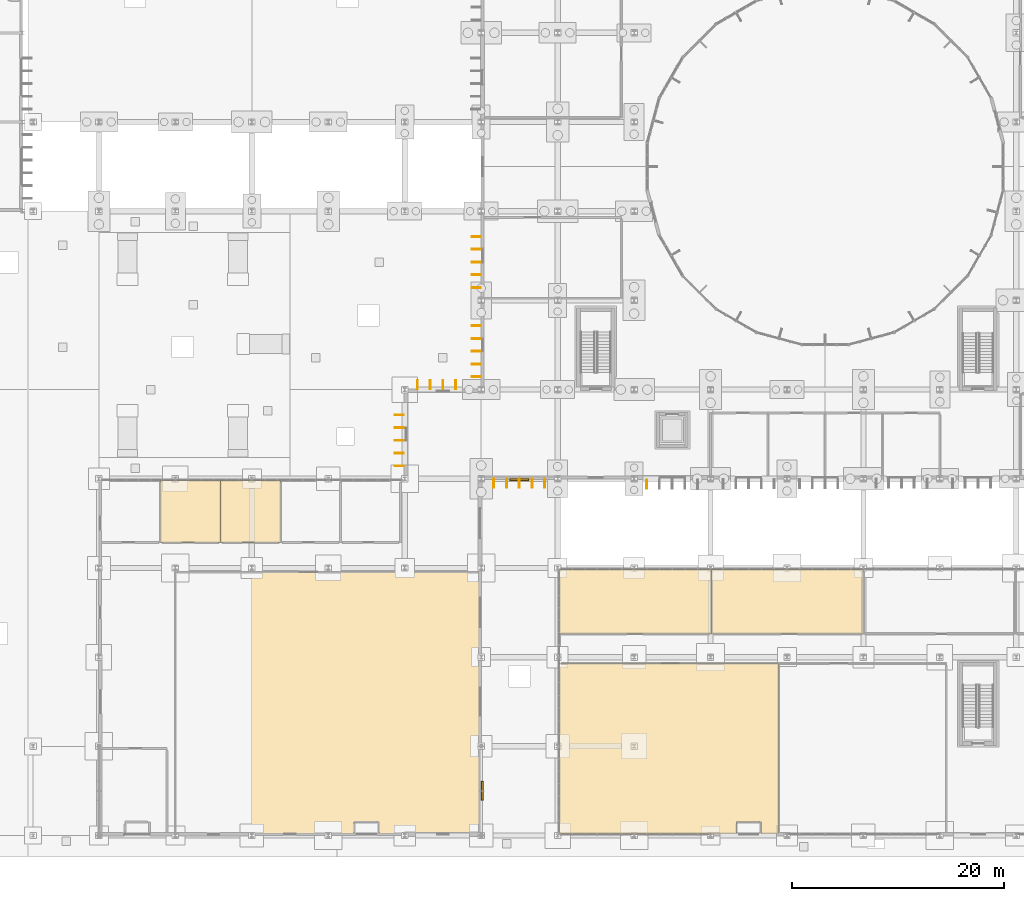
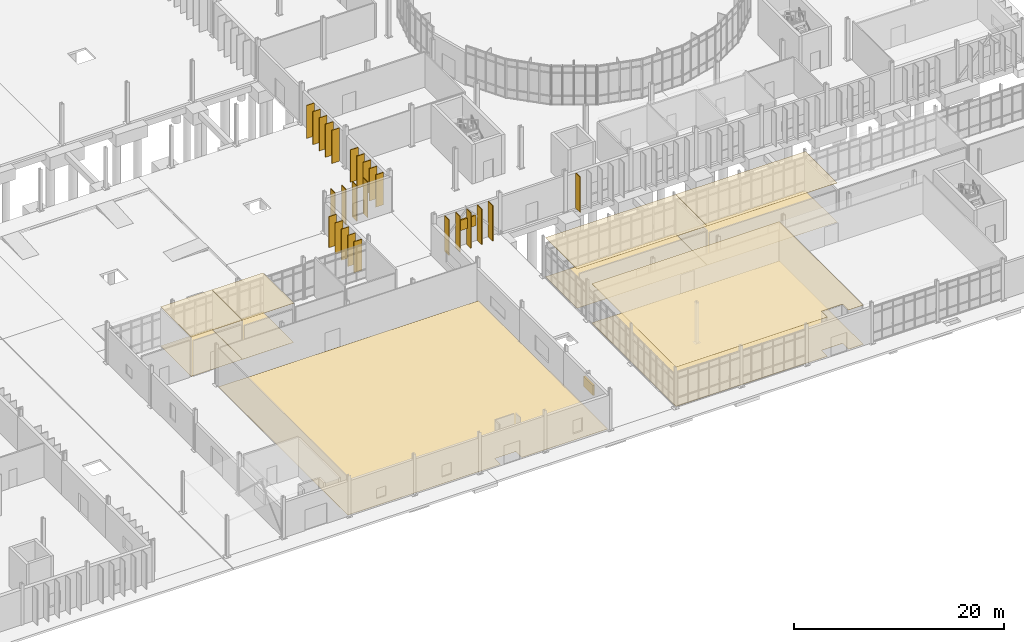
# One storey, part 104 of 118: 27 shading devices, 11 coverings.
"""IFC4 building model written with IfcOpenShell, lengths in metres."""

from ifc_helpers import new_model, si_unit, direction, frame, origin, origin_2d, place, context, subcontext, project, spatial, polyline, rectangle, outline, extrude, material, layer, layer_set, type_object, element, save


model = new_model("IFC4")

# Units and contexts
model_context = context("Model", 3, precision=1e-05, world=origin(), true_north=direction((0.0, 1.0)))
body_context = subcontext(model_context, "Body", "Model", "MODEL_VIEW")
ifc_project = project(units=[si_unit("LENGTHUNIT", "METRE"), si_unit("AREAUNIT", "SQUARE_METRE"), si_unit("VOLUMEUNIT", "CUBIC_METRE"), si_unit("PLANEANGLEUNIT", "RADIAN"), si_unit("MASSUNIT", "GRAM", prefix="KILO")], contexts=[model_context])

# Site, building, storey
site_placement = place(None, origin())
site = spatial("IfcSite", under=ifc_project, at=site_placement, CompositionType="ELEMENT")
building_placement = place(site_placement, origin())
building = spatial("IfcBuilding", under=site, at=building_placement, Name="Qelthora Terrace Specialist Clinic", CompositionType="ELEMENT")
storey_placement = place(building_placement, origin())
storey = spatial("IfcBuildingStorey", under=building, at=storey_placement, Name="L00", CompositionType="ELEMENT", Elevation=0.0)

# Coverings
ifc_material_1 = material(Name="Hygienic mineral-fibre acoustic ceiling", Category="gypsum")
ifc_layer_1 = layer(ifc_material_1, 0.02490234375)
ifc_layer_set_1 = layer_set([ifc_layer_1], Name="Hygienic mineral-fibre acoustic ceiling")
covering_type_1 = type_object("IfcCoveringType", Name="COV-CEIL-ACU-25", PredefinedType="CEILING", material=ifc_layer_set_1)
covering_1_placement = place(storey_placement, frame((0.0, 0.0, 4.554931640625)))
element("IfcCovering", 1, at=covering_1_placement, inside=storey, type_object=covering_type_1, Name="Outpatient Registration Lounge L00-02 acoustic ceiling", PredefinedType="CEILING", context=body_context, shape_type="SweptSolid", body=[
    extrude(outline(polyline([(63.405029296875, 27.60009765625), (63.405029296875, 33.449951171875), (69.050048828125, 33.449951171875), (69.050048828125, 27.60009765625), (63.405029296875, 27.60009765625)])), origin(), (0.0, 0.0, 1.0), 0.025146484375),
])
covering_2_placement = place(storey_placement, frame((0.0, 0.0, 4.554931640625)))
element("IfcCovering", 2, at=covering_2_placement, inside=storey, type_object=covering_type_1, Name="Infusion Nurse Station L00-03 acoustic ceiling", PredefinedType="CEILING", context=body_context, shape_type="SweptSolid", body=[
    extrude(outline(polyline([(69.054931640625, 27.60009765625), (69.054931640625, 33.449951171875), (74.699951171875, 33.449951171875), (74.699951171875, 27.60009765625), (69.054931640625, 27.60009765625)])), origin(), (0.0, 0.0, 1.0), 0.025146484375),
])
covering_3_placement = place(storey_placement, frame((0.0, 0.0, 4.554931640625)))
element("IfcCovering", 3, at=covering_3_placement, inside=storey, type_object=covering_type_1, Name="Glasshouse Wintergarden Display Atrium L00-21 acoustic ceiling", PredefinedType="CEILING", context=body_context, shape_type="SweptSolid", body=[
    extrude(outline(polyline([(119.9599609375, 0.14990234375), (119.9599609375, 1.280029296875), (117.639892578125, 1.280029296875), (117.639892578125, 0.14990234375), (100.949951171875, 0.14990234375), (100.949951171875, 16.199951171875), (121.60009765625, 16.199951171875), (121.60009765625, 0.14990234375), (119.9599609375, 0.14990234375)])), origin(), (0.0, 0.0, 1.0), 0.025146484375),
])
covering_4_placement = place(storey_placement, frame((0.0, 0.0, 4.56005859375)))
element("IfcCovering", 4, at=covering_4_placement, inside=storey, type_object=covering_type_1, Name="Rehabilitation Hydrotherapy Pool Room L00-23 acoustic ceiling", PredefinedType="CEILING", context=body_context, shape_type="SweptSolid", body=[
    extrude(outline(polyline([(100.949951171875, 19.0), (100.949951171875, 25.050048828125), (115.27490234375, 25.050048828125), (115.27490234375, 19.0), (100.949951171875, 19.0)])), origin(), (0.0, 0.0, 1.0), 0.02490234375),
])
covering_5_placement = place(storey_placement, frame((0.0, 0.0, 4.56005859375)))
element("IfcCovering", 5, at=covering_5_placement, inside=storey, type_object=covering_type_1, Name="Physical Rehabilitation Gym L00-24 acoustic ceiling", PredefinedType="CEILING", context=body_context, shape_type="SweptSolid", body=[
    extrude(outline(polyline([(115.280029296875, 19.0), (115.280029296875, 25.050048828125), (129.60009765625, 25.050048828125), (129.60009765625, 19.0), (115.280029296875, 19.0)])), origin(), (0.0, 0.0, 1.0), 0.02490234375),
])
ifc_material_2 = material(Name="Antimicrobial clinical linoleum flooring", Category="other")
ifc_layer_2 = layer(ifc_material_2, 0.011962890625)
ifc_layer_set_2 = layer_set([ifc_layer_2], Name="Antimicrobial clinical linoleum flooring")
covering_type_2 = type_object("IfcCoveringType", Name="COV-FLR-LINO-12", PredefinedType="FLOORING", material=ifc_layer_set_2)
covering_6_placement = place(storey_placement, origin())
element("IfcCovering", 6, at=covering_6_placement, inside=storey, type_object=covering_type_2, Name="Treatment Hall and Oncology Infusion Atrium L00-H1 resilient linoleum flooring", PredefinedType="FLOORING", context=body_context, shape_type="SweptSolid", body=[
    extrude(outline(polyline([(83.9599609375, 0.14990234375), (83.9599609375, 1.280029296875), (81.639892578125, 1.280029296875), (81.639892578125, 0.14990234375), (64.800048828125, 0.14990234375), (64.800048828125, 24.800048828125), (93.449951171875, 24.800048828125), (93.449951171875, 0.14990234375), (83.9599609375, 0.14990234375)])), origin(), (0.0, 0.0, 1.0), 0.011962890625),
])
covering_7_placement = place(storey_placement, origin())
element("IfcCovering", 7, at=covering_7_placement, inside=storey, type_object=covering_type_2, Name="Outpatient Registration Lounge L00-02 resilient linoleum flooring", PredefinedType="FLOORING", context=body_context, shape_type="SweptSolid", body=[
    extrude(outline(polyline([(63.405029296875, 27.60009765625), (63.405029296875, 33.449951171875), (69.050048828125, 33.449951171875), (69.050048828125, 27.60009765625), (63.405029296875, 27.60009765625)])), origin(), (0.0, 0.0, 1.0), 0.011962890625),
])
covering_8_placement = place(storey_placement, origin())
element("IfcCovering", 8, at=covering_8_placement, inside=storey, type_object=covering_type_2, Name="Infusion Nurse Station L00-03 resilient linoleum flooring", PredefinedType="FLOORING", context=body_context, shape_type="SweptSolid", body=[
    extrude(outline(polyline([(69.054931640625, 27.60009765625), (69.054931640625, 33.449951171875), (74.699951171875, 33.449951171875), (74.699951171875, 27.60009765625), (69.054931640625, 27.60009765625)])), origin(), (0.0, 0.0, 1.0), 0.011962890625),
])
covering_9_placement = place(storey_placement, origin())
element("IfcCovering", 9, at=covering_9_placement, inside=storey, type_object=covering_type_2, Name="Glasshouse Wintergarden Display Atrium L00-21 resilient linoleum flooring", PredefinedType="FLOORING", context=body_context, shape_type="SweptSolid", body=[
    extrude(outline(polyline([(119.9599609375, 0.14990234375), (119.9599609375, 1.280029296875), (117.639892578125, 1.280029296875), (117.639892578125, 0.14990234375), (100.949951171875, 0.14990234375), (100.949951171875, 16.199951171875), (121.60009765625, 16.199951171875), (121.60009765625, 0.14990234375), (119.9599609375, 0.14990234375)])), origin(), (0.0, 0.0, 1.0), 0.011962890625),
])
covering_10_placement = place(storey_placement, origin())
element("IfcCovering", 10, at=covering_10_placement, inside=storey, type_object=covering_type_2, Name="Rehabilitation Hydrotherapy Pool Room L00-23 resilient linoleum flooring", PredefinedType="FLOORING", context=body_context, shape_type="SweptSolid", body=[
    extrude(outline(polyline([(100.949951171875, 19.0), (100.949951171875, 25.050048828125), (115.27490234375, 25.050048828125), (115.27490234375, 19.0), (100.949951171875, 19.0)])), origin(), (0.0, 0.0, 1.0), 0.011962890625),
])
covering_11_placement = place(storey_placement, origin())
element("IfcCovering", 11, at=covering_11_placement, inside=storey, type_object=covering_type_2, Name="Physical Rehabilitation Gym L00-24 resilient linoleum flooring", PredefinedType="FLOORING", context=body_context, shape_type="SweptSolid", body=[
    extrude(outline(polyline([(115.280029296875, 19.0), (115.280029296875, 25.050048828125), (129.60009765625, 25.050048828125), (129.60009765625, 19.0), (115.280029296875, 19.0)])), origin(), (0.0, 0.0, 1.0), 0.011962890625),
])

# Shading devices
ifc_material_3 = material(Name="Glulam timber GL28h", Category="wood")
shading_device_type_1 = type_object("IfcShadingDeviceType", Name="SHD-FIN-850", PredefinedType="USERDEFINED", material=ifc_material_3)
for number, where, z_axis, x_axis, name in (
    (12, (85.905029296875, 34.800048828125, 0.0), (0.0, 0.0, 1.0), (-1.0, 0.0, 0.0), "Exterior solar shading fin FIN-0201"),
    (13, (85.905029296875, 36.0, 0.0), (0.0, 0.0, 1.0), (-1.0, 0.0, 0.0), "Exterior solar shading fin FIN-0202"),
    (14, (85.905029296875, 37.199951171875, 0.0), (0.0, 0.0, 1.0), (-1.0, 0.0, 0.0), "Exterior solar shading fin FIN-0203"),
    (15, (85.905029296875, 38.39990234375, 0.0), (0.0, 0.0, 1.0), (-1.0, 0.0, 0.0), "Exterior solar shading fin FIN-0204"),
    (16, (85.905029296875, 39.60009765625, 0.0), (0.0, 0.0, 1.0), (-1.0, 0.0, 0.0), "Exterior solar shading fin FIN-0205"),
):
    element("IfcShadingDevice", number, at=place(storey_placement, frame(where, z_axis=z_axis, x_axis=x_axis)), inside=storey, type_object=shading_device_type_1, Name=name, ObjectType="FIN", PredefinedType="USERDEFINED", context=body_context, shape_type="SweptSolid", body=[
        extrude(rectangle(XDim=0.85009765625, YDim=0.080078125, at=origin_2d()), origin(), (0.0, 0.0, 1.0), 3.614990234375),
    ])
for number, where, z_axis, x_axis, name in (
    (17, (87.60009765625, 42.465087890625, 0.0), (0.0, 0.0, 1.0), (0.0, 1.0, 0.0), "Exterior solar shading fin FIN-0206"),
    (18, (88.800048828125, 42.465087890625, 0.0), (0.0, 0.0, 1.0), (0.0, 1.0, 0.0), "Exterior solar shading fin FIN-0207"),
    (19, (90.0, 42.465087890625, 0.0), (0.0, 0.0, 1.0), (0.0, 1.0, 0.0), "Exterior solar shading fin FIN-0208"),
    (20, (91.199951171875, 42.465087890625, 0.0), (0.0, 0.0, 1.0), (0.0, 1.0, 0.0), "Exterior solar shading fin FIN-0209"),
):
    element("IfcShadingDevice", number, at=place(storey_placement, frame(where, z_axis=z_axis, x_axis=x_axis)), inside=storey, type_object=shading_device_type_1, Name=name, ObjectType="FIN", PredefinedType="USERDEFINED", context=body_context, shape_type="SweptSolid", body=[
        extrude(rectangle(XDim=0.85009765625, YDim=0.080078125, at=origin_2d()), origin(), (0.0, 0.0, 1.0), 4.12890625),
    ])
for number, where, z_axis, x_axis, name in (
    (21, (93.14501953125, 43.199951171875, 0.0), (0.0, 0.0, 1.0), (-1.0, 0.0, 0.0), "Exterior solar shading fin FIN-0210"),
    (22, (93.14501953125, 44.39990234375, 0.0), (0.0, 0.0, 1.0), (-1.0, 0.0, 0.0), "Exterior solar shading fin FIN-0211"),
    (23, (93.14501953125, 45.60009765625, 0.0), (0.0, 0.0, 1.0), (-1.0, 0.0, 0.0), "Exterior solar shading fin FIN-0212"),
    (24, (93.14501953125, 46.800048828125, 0.0), (0.0, 0.0, 1.0), (-1.0, 0.0, 0.0), "Exterior solar shading fin FIN-0213"),
    (25, (93.14501953125, 48.0, 0.0), (0.0, 0.0, 1.0), (-1.0, 0.0, 0.0), "Exterior solar shading fin FIN-0214"),
):
    element("IfcShadingDevice", number, at=place(storey_placement, frame(where, z_axis=z_axis, x_axis=x_axis)), inside=storey, type_object=shading_device_type_1, Name=name, ObjectType="FIN", PredefinedType="USERDEFINED", context=body_context, shape_type="SweptSolid", body=[
        extrude(rectangle(XDim=0.85009765625, YDim=0.080078125, at=origin_2d()), origin(), (0.0, 0.0, 1.0), 3.77197265625),
    ])
for number, where, z_axis, x_axis, name in (
    (26, (93.155029296875, 51.60009765625, 0.0), (0.0, 0.0, 1.0), (-1.0, 0.0, 0.0), "Exterior solar shading fin FIN-0215"),
    (27, (93.155029296875, 52.800048828125, 0.0), (0.0, 0.0, 1.0), (-1.0, 0.0, 0.0), "Exterior solar shading fin FIN-0216"),
    (28, (93.155029296875, 54.0, 0.0), (0.0, 0.0, 1.0), (-1.0, 0.0, 0.0), "Exterior solar shading fin FIN-0217"),
    (29, (93.155029296875, 55.199951171875, 0.0), (0.0, 0.0, 1.0), (-1.0, 0.0, 0.0), "Exterior solar shading fin FIN-0218"),
    (30, (93.155029296875, 56.39990234375, 0.0), (0.0, 0.0, 1.0), (-1.0, 0.0, 0.0), "Exterior solar shading fin FIN-0219"),
):
    element("IfcShadingDevice", number, at=place(storey_placement, frame(where, z_axis=z_axis, x_axis=x_axis)), inside=storey, type_object=shading_device_type_1, Name=name, ObjectType="FIN", PredefinedType="USERDEFINED", context=body_context, shape_type="SweptSolid", body=[
        extrude(rectangle(XDim=0.85009765625, YDim=0.080078125, at=origin_2d()), origin(), (0.0, 0.0, 1.0), 3.84912109375),
    ])
for number, where, z_axis, x_axis, name in (
    (31, (94.800048828125, 33.155029296875, 0.0), (0.0, 0.0, 1.0), (0.0, -1.0, 0.0), "Exterior solar shading fin FIN-0364"),
    (32, (96.0, 33.155029296875, 0.0), (0.0, 0.0, 1.0), (0.0, -1.0, 0.0), "Exterior solar shading fin FIN-0365"),
    (33, (97.199951171875, 33.155029296875, 0.0), (0.0, 0.0, 1.0), (0.0, -1.0, 0.0), "Exterior solar shading fin FIN-0366"),
    (34, (98.39990234375, 33.155029296875, 0.0), (0.0, 0.0, 1.0), (0.0, -1.0, 0.0), "Exterior solar shading fin FIN-0367"),
    (35, (99.60009765625, 33.155029296875, 0.0), (0.0, 0.0, 1.0), (0.0, -1.0, 0.0), "Exterior solar shading fin FIN-0368"),
):
    element("IfcShadingDevice", number, at=place(storey_placement, frame(where, z_axis=z_axis, x_axis=x_axis)), inside=storey, type_object=shading_device_type_1, Name=name, ObjectType="FIN", PredefinedType="USERDEFINED", context=body_context, shape_type="SweptSolid", body=[
        extrude(rectangle(XDim=0.85009765625, YDim=0.080078125, at=origin_2d()), origin(), (0.0, 0.0, 1.0), 4.12890625),
    ])
shading_device_placement = place(storey_placement, frame((109.199951171875, 33.10498046875, 0.0), z_axis=(0.0, 0.0, 1.0), x_axis=(0.0, -1.0, 0.0)))
element("IfcShadingDevice", 36, at=shading_device_placement, inside=storey, type_object=shading_device_type_1, Name="Exterior solar shading fin FIN-0369", ObjectType="FIN", PredefinedType="USERDEFINED", context=body_context, shape_type="SweptSolid", body=[
    extrude(rectangle(XDim=0.85009765625, YDim=0.080078125, at=origin_2d()), origin(), (0.0, 0.0, 1.0), 4.08203125),
])
ifc_material_4 = material(Name="Aluminium anodized bronze", Category="aluminium")
shading_device_type_2 = type_object("IfcShadingDeviceType", Name="SHD-LOUVRE-1800", PredefinedType="USERDEFINED", material=ifc_material_4)
for number, where, z_axis, x_axis, name in (
    (37, (97.199951171875, 33.489990234375, 1.89990234375), (0.0, 0.0, 1.0), (1.0, 0.0, 0.0), "High-altitude HVAC louvre LVR-003"),
    (38, (93.719970703125, 4.199951171875, 1.89990234375), (0.0, 0.0, 1.0), (0.0, 1.0, 0.0), "High-altitude HVAC louvre LVR-005"),
):
    element("IfcShadingDevice", number, at=place(storey_placement, frame(where, z_axis=z_axis, x_axis=x_axis)), inside=storey, type_object=shading_device_type_2, Name=name, ObjectType="LOUVRE", PredefinedType="USERDEFINED", context=body_context, shape_type="SweptSolid", body=[
        extrude(rectangle(XDim=1.800048828125, YDim=0.179931640625, at=origin_2d()), origin(), (0.0, 0.0, 1.0), 1.199951171875),
    ])

save(model, "model.ifc")
